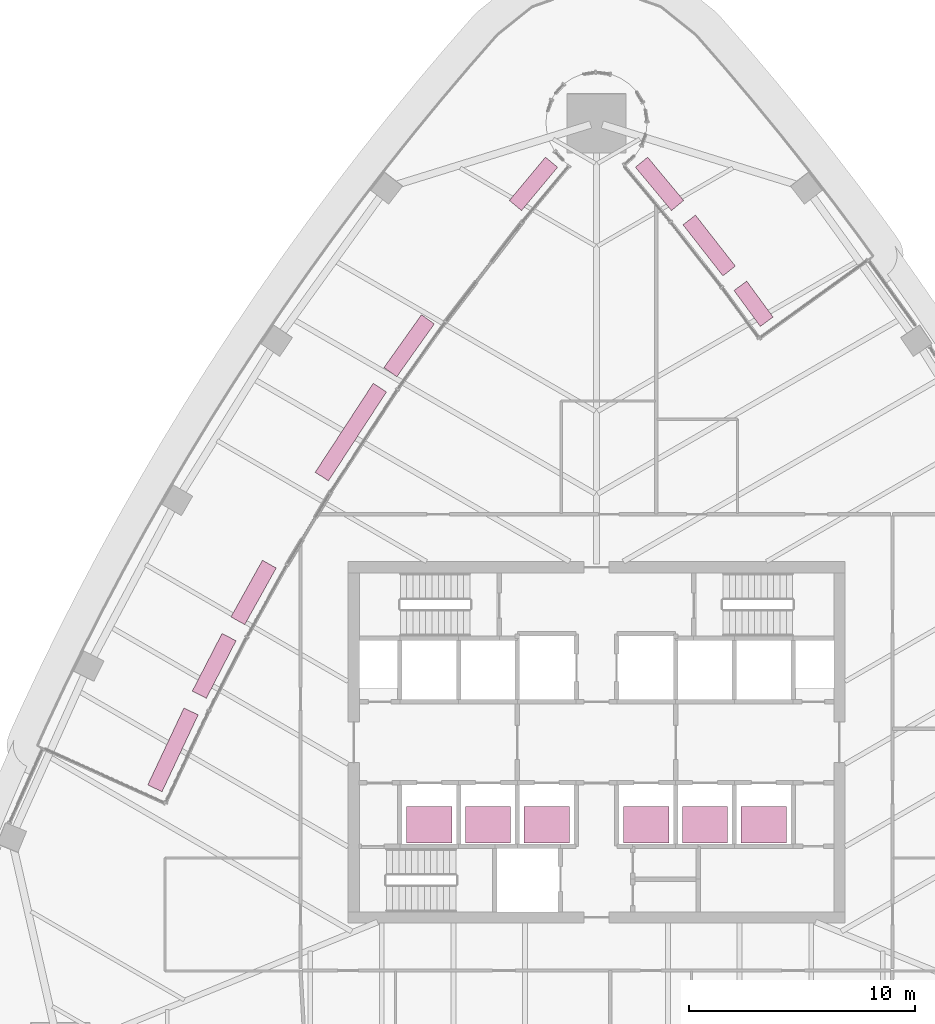
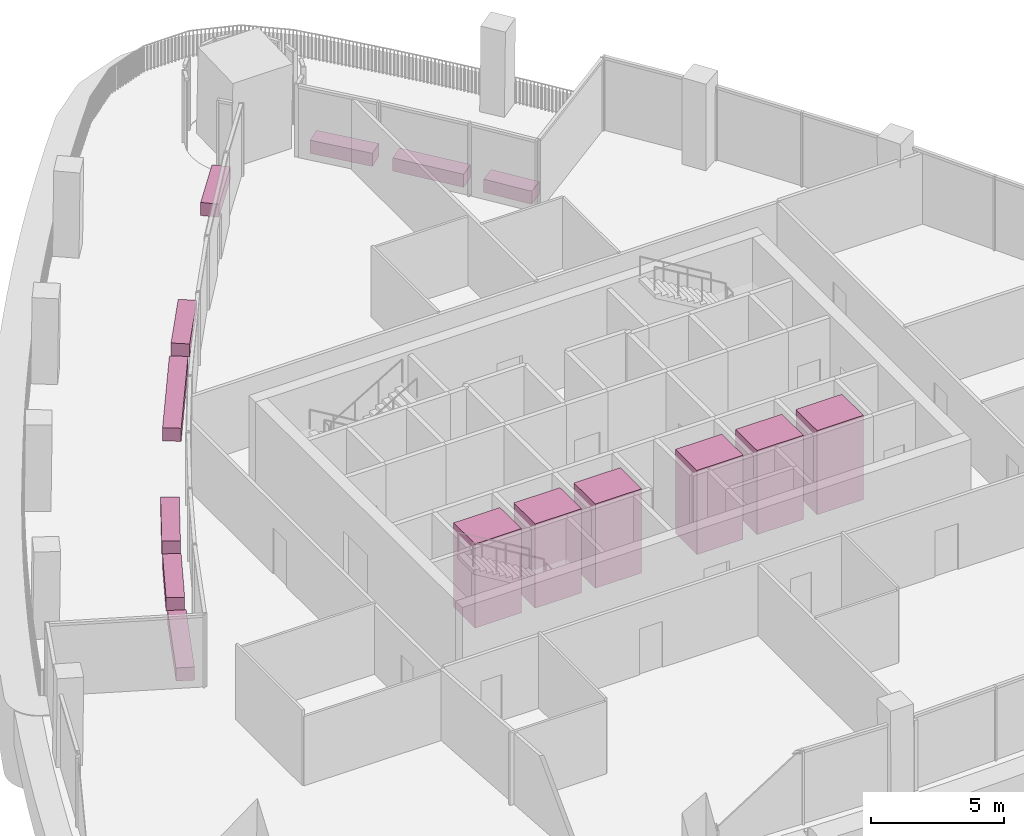
# One storey, part 19 of 19: 9 furniture elements, 6 transport elements.
"""IFC4 building model written with IfcOpenShell, lengths in metres."""

from ifc_helpers import new_model, si_unit, direction, frame, origin, origin_2d, place, context, subcontext, project, spatial, rectangle, extrude, material, type_object, element, save


model = new_model("IFC4")

# Units and contexts
model_context = context("Model", 3, precision=1e-05, world=origin(), true_north=direction((0.0, 1.0)))
body_context = subcontext(model_context, "Body", "Model", "MODEL_VIEW")
ifc_project = project(units=[si_unit("LENGTHUNIT", "METRE"), si_unit("AREAUNIT", "SQUARE_METRE"), si_unit("VOLUMEUNIT", "CUBIC_METRE"), si_unit("PLANEANGLEUNIT", "RADIAN"), si_unit("MASSUNIT", "GRAM", prefix="KILO")], contexts=[model_context])

# Site, building, storey
site_placement = place(None, origin())
site = spatial("IfcSite", under=ifc_project, at=site_placement, CompositionType="ELEMENT")
building_placement = place(site_placement, origin())
building = spatial("IfcBuilding", under=site, at=building_placement, Name="Sierra Prisma Convention Tower", CompositionType="ELEMENT")
storey_placement = place(building_placement, frame((0.0, 0.0, 173.800048828125)))
storey = spatial("IfcBuildingStorey", under=building, at=storey_placement, Name="L38", CompositionType="ELEMENT", Elevation=173.800048828125)

# Transport elements
ifc_material_1 = material(Name="Stainless steel", Category="steel")
transport_element_type = type_object("IfcTransportElementType", Name="Lift car office low 2000x1600 1600 kg", PredefinedType="ELEVATOR", material=ifc_material_1)
for number, where, z_axis, x_axis, name in (
    (1, (-7.39990234375, -3.64990234375, 0.0), (0.0, 0.0, 1.0), (1.0, 0.0, 0.0), "Lift OL1"),
    (2, (-4.800048828125, -3.64990234375, 0.0), (0.0, 0.0, 1.0), (1.0, 0.0, 0.0), "Lift OL2"),
    (3, (-2.199951171875, -3.64990234375, 0.0), (0.0, 0.0, 1.0), (1.0, 0.0, 0.0), "Lift OL3"),
    (4, (2.199951171875, -3.64990234375, 0.0), (0.0, 0.0, 1.0), (1.0, 0.0, 0.0), "Lift OL4"),
    (5, (4.800048828125, -3.64990234375, 0.0), (0.0, 0.0, 1.0), (1.0, 0.0, 0.0), "Lift OL5"),
    (6, (7.39990234375, -3.64990234375, 0.0), (0.0, 0.0, 1.0), (1.0, 0.0, 0.0), "Lift OL6"),
):
    element("IfcTransportElement", number, at=place(storey_placement, frame(where, z_axis=z_axis, x_axis=x_axis)), inside=storey, type_object=transport_element_type, Name=name, PredefinedType="ELEVATOR", context=body_context, shape_type="SweptSolid", body=[
        extrude(rectangle(XDim=2.0, YDim=1.60009765625, at=origin_2d()), origin(), (0.0, 0.0, 1.0), 3.85009765625),
    ])

# Furniture
ifc_material_2 = material(Name="Precast concrete C40/50", Category="concrete")
furniture_type = type_object("IfcFurnitureType", Name="Terrace planter", AssemblyPlace="NOTDEFINED", PredefinedType="USERDEFINED", material=ifc_material_2)
furniture_1_placement = place(storey_placement, frame((6.9482421875, 19.406494140625, 0.039794921875), z_axis=(0.0, 0.0, 1.0), x_axis=(-0.591167596622, 0.806548741679, 0.0)))
element("IfcFurniture", 7, at=furniture_1_placement, inside=storey, type_object=furniture_type, Name="Planter L38.1", ObjectType="PLANTER", PredefinedType="USERDEFINED", context=body_context, shape_type="SweptSolid", body=[
    extrude(rectangle(XDim=1.97216796875, YDim=0.699951171875, at=origin_2d()), origin(), (0.0, 0.0, 1.0), 0.60009765625),
])
furniture_2_placement = place(storey_placement, frame((4.985595703125, 21.986328125, 0.039794921875), z_axis=(0.0, 0.0, 1.0), x_axis=(-0.61609581475, 0.787671217608, 0.0)))
element("IfcFurniture", 8, at=furniture_2_placement, inside=storey, type_object=furniture_type, Name="Planter L38.2", ObjectType="PLANTER", PredefinedType="USERDEFINED", context=body_context, shape_type="SweptSolid", body=[
    extrude(rectangle(XDim=2.867919921875, YDim=0.699951171875, at=origin_2d()), origin(), (0.0, 0.0, 1.0), 0.60009765625),
])
for number, where, z_axis, x_axis, name in (
    (9, (2.788818359375, 24.713623046875, 0.039794921875), (0.0, 0.0, 1.0), (-0.639650665136, 0.768665744385, 0.0), "Planter L38.3"),
    (10, (-2.788818359375, 24.713623046875, 0.039794921875), (0.0, 0.0, 1.0), (-0.639650665136, -0.768665744385, 0.0), "Planter L38.27"),
):
    element("IfcFurniture", number, at=place(storey_placement, frame(where, z_axis=z_axis, x_axis=x_axis)), inside=storey, type_object=furniture_type, Name=name, ObjectType="PLANTER", PredefinedType="USERDEFINED", context=body_context, shape_type="SweptSolid", body=[
        extrude(rectangle(XDim=2.494140625, YDim=0.699951171875, at=origin_2d()), origin(), (0.0, 0.0, 1.0), 0.60009765625),
    ])
furniture_3_placement = place(storey_placement, frame((-8.292236328125, 17.54931640625, 0.039794921875), z_axis=(0.0, 0.0, 1.0), x_axis=(-0.578632133108, -0.815588655227, 0.0)))
element("IfcFurniture", 11, at=furniture_3_placement, inside=storey, type_object=furniture_type, Name="Planter L38.29", ObjectType="PLANTER", PredefinedType="USERDEFINED", context=body_context, shape_type="SweptSolid", body=[
    extrude(rectangle(XDim=2.867919921875, YDim=0.699951171875, at=origin_2d()), origin(), (0.0, 0.0, 1.0), 0.60009765625),
])
furniture_4_placement = place(storey_placement, frame((-10.871826171875, 13.727294921875, 0.039794921875), z_axis=(0.0, 0.0, 1.0), x_axis=(-0.546443973829, -0.837495661759, 0.0)))
element("IfcFurniture", 12, at=furniture_4_placement, inside=storey, type_object=furniture_type, Name="Planter L38.30", ObjectType="PLANTER", PredefinedType="USERDEFINED", context=body_context, shape_type="SweptSolid", body=[
    extrude(rectangle(XDim=4.70166015625, YDim=0.699951171875, at=origin_2d()), origin(), (0.0, 0.0, 1.0), 0.60009765625),
])
for number, where, z_axis, x_axis, name in (
    (13, (-15.175537109375, 6.631591796875, 0.039794921875), (0.0, 0.0, 1.0), (-0.486451299106, -0.873707693452, 0.0), "Planter L38.32"),
    (14, (-16.919921875, 3.380859375, 0.039794921875), (0.0, 0.0, 1.0), (-0.459003195464, -0.888434615801, 0.0), "Planter L38.33"),
):
    element("IfcFurniture", number, at=place(storey_placement, frame(where, z_axis=z_axis, x_axis=x_axis)), inside=storey, type_object=furniture_type, Name=name, ObjectType="PLANTER", PredefinedType="USERDEFINED", context=body_context, shape_type="SweptSolid", body=[
        extrude(rectangle(XDim=2.867919921875, YDim=0.699951171875, at=origin_2d()), origin(), (0.0, 0.0, 1.0), 0.60009765625),
    ])
furniture_5_placement = place(storey_placement, frame((-18.743896484375, -0.336181640625, 0.039794921875), z_axis=(0.0, 0.0, 1.0), x_axis=(-0.425590246016, -0.90491598643, 0.0)))
element("IfcFurniture", 15, at=furniture_5_placement, inside=storey, type_object=furniture_type, Name="Planter L38.34", ObjectType="PLANTER", PredefinedType="USERDEFINED", context=body_context, shape_type="SweptSolid", body=[
    extrude(rectangle(XDim=3.76220703125, YDim=0.699951171875, at=origin_2d()), origin(), (0.0, 0.0, 1.0), 0.60009765625),
])

save(model, "model.ifc")
